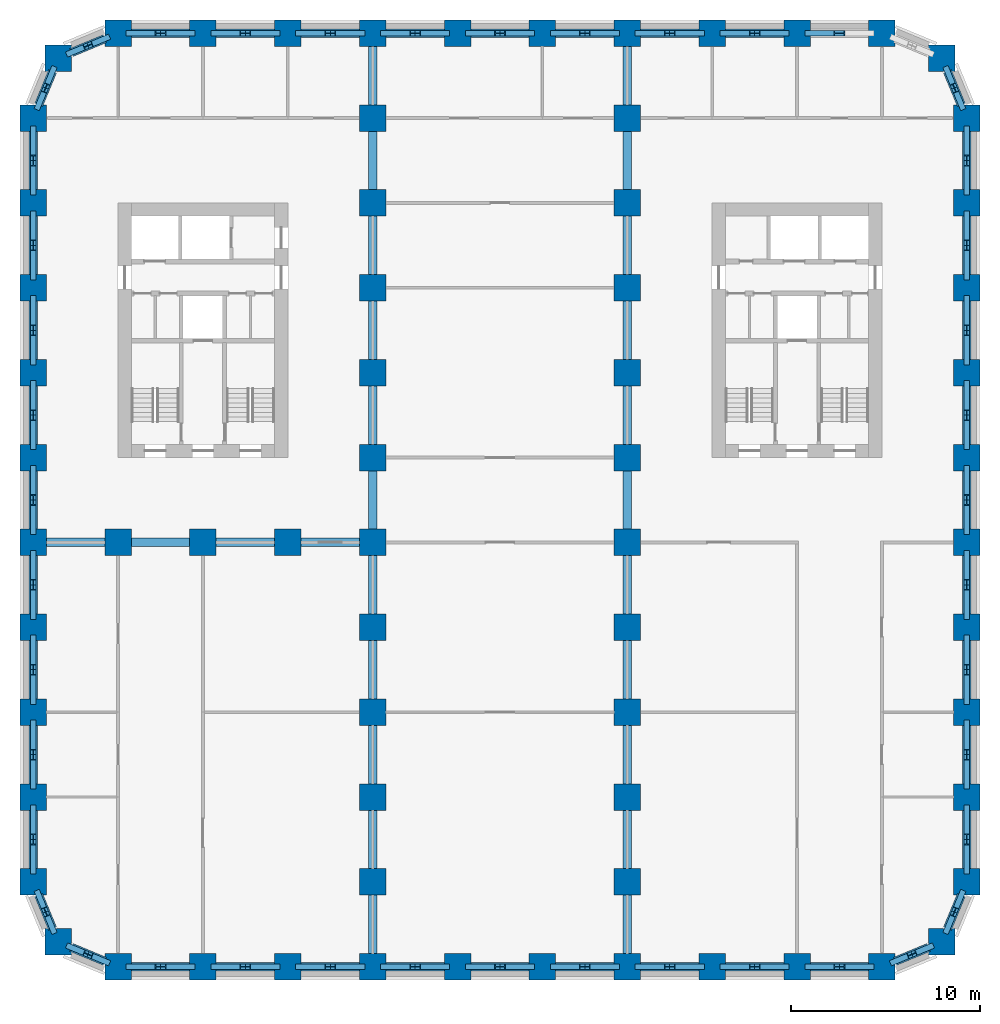
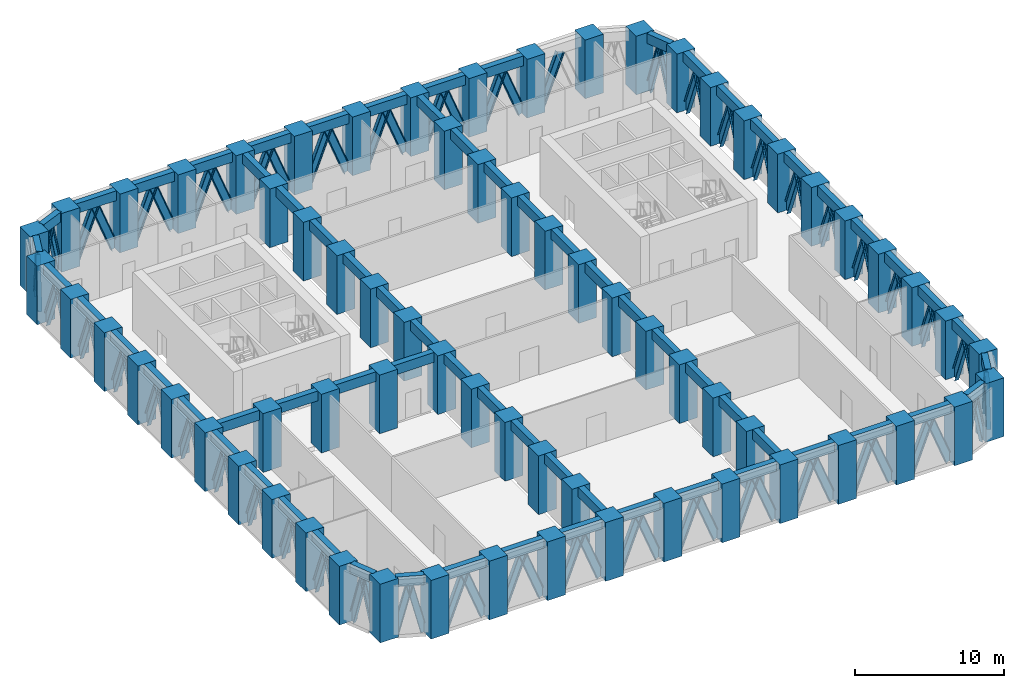
# One storey, part 1 of 9: 85 members, 68 beams, 67 columns.
"""IFC4 building model written with IfcOpenShell, lengths in metres."""

from ifc_helpers import new_model, si_unit, direction, frame, origin, origin_2d, place, context, subcontext, project, spatial, rectangle, i_section, extrude, material, material_profile, profile_set, type_object, element, save


model = new_model("IFC4")

# Units and contexts
model_context = context("Model", 3, precision=1e-05, world=origin(), true_north=direction((0.0, 1.0)))
body_context = subcontext(model_context, "Body", "Model", "MODEL_VIEW")
ifc_project = project(units=[si_unit("LENGTHUNIT", "METRE"), si_unit("AREAUNIT", "SQUARE_METRE"), si_unit("VOLUMEUNIT", "CUBIC_METRE"), si_unit("PLANEANGLEUNIT", "RADIAN"), si_unit("MASSUNIT", "GRAM", prefix="KILO")], contexts=[model_context])

# Site, building, storey
site_placement = place(None, origin())
site = spatial("IfcSite", under=ifc_project, at=site_placement, CompositionType="ELEMENT")
building_placement = place(site_placement, origin())
building = spatial("IfcBuilding", under=site, at=building_placement, Name="Girih Gate Residences", CompositionType="ELEMENT")
storey_placement = place(building_placement, frame((0.0, 0.0, 75.199951171875)))
storey = spatial("IfcBuildingStorey", under=building, at=storey_placement, Name="L20", CompositionType="ELEMENT", Elevation=75.199951171875)

# Columns
ifc_material_1 = material(Name="Concrete C80/95", Category="concrete")
ifc_material_profile_1 = material_profile(ifc_material_1, rectangle(XDim=1.39990234375, YDim=1.39990234375, at=origin_2d()))
ifc_profile_set_1 = profile_set([ifc_material_profile_1], Name="Concrete C80/95")
column_type = type_object("IfcColumnType", Name="Pier RC 1400x1400 Concrete C80/95", PredefinedType="COLUMN", material=ifc_profile_set_1)
for number, where, z_axis, x_axis, name in (
    (1, (4.5, 0.0, 0.0), (0.0, 0.0, 1.0), (1.0, 0.0, 0.0), "Pier P2A L20"),
    (2, (9.0, 0.0, 0.0), (0.0, 0.0, 1.0), (1.0, 0.0, 0.0), "Pier P3A L20"),
    (3, (13.5, 0.0, 0.0), (0.0, 0.0, 1.0), (1.0, 0.0, 0.0), "Pier P4A L20"),
    (4, (18.0, 0.0, 0.0), (0.0, 0.0, 1.0), (1.0, 0.0, 0.0), "Pier P5A L20"),
    (5, (22.5, 0.0, 0.0), (0.0, 0.0, 1.0), (1.0, 0.0, 0.0), "Pier P6A L20"),
    (6, (27.0, 0.0, 0.0), (0.0, 0.0, 1.0), (1.0, 0.0, 0.0), "Pier P7A L20"),
    (7, (31.5, 0.0, 0.0), (0.0, 0.0, 1.0), (1.0, 0.0, 0.0), "Pier P8A L20"),
    (8, (36.0, 0.0, 0.0), (0.0, 0.0, 1.0), (1.0, 0.0, 0.0), "Pier P9A L20"),
    (9, (40.5, 0.0, 0.0), (0.0, 0.0, 1.0), (1.0, 0.0, 0.0), "Pier P10A L20"),
    (10, (45.0, 0.0, 0.0), (0.0, 0.0, 1.0), (1.0, 0.0, 0.0), "Pier P11A L20"),
    (11, (1.318115234375, 1.318115234375, 0.0), (0.0, 0.0, 1.0), (1.0, 0.0, 0.0), "Pier P1ANE L20"),
    (12, (48.181884765625, 1.318115234375, 0.0), (0.0, 0.0, 1.0), (1.0, 0.0, 0.0), "Pier P12ANW L20"),
    (13, (0.0, 4.5, 0.0), (0.0, 0.0, 1.0), (1.0, 0.0, 0.0), "Pier P1B L20"),
    (14, (18.0, 4.5, 0.0), (0.0, 0.0, 1.0), (1.0, 0.0, 0.0), "Pier P5B L20"),
    (15, (31.5, 4.5, 0.0), (0.0, 0.0, 1.0), (1.0, 0.0, 0.0), "Pier P8B L20"),
    (16, (49.5, 4.5, 0.0), (0.0, 0.0, 1.0), (1.0, 0.0, 0.0), "Pier P12B L20"),
    (17, (0.0, 9.0, 0.0), (0.0, 0.0, 1.0), (1.0, 0.0, 0.0), "Pier P1C L20"),
    (18, (18.0, 9.0, 0.0), (0.0, 0.0, 1.0), (1.0, 0.0, 0.0), "Pier P5C L20"),
    (19, (31.5, 9.0, 0.0), (0.0, 0.0, 1.0), (1.0, 0.0, 0.0), "Pier P8C L20"),
    (20, (49.5, 9.0, 0.0), (0.0, 0.0, 1.0), (1.0, 0.0, 0.0), "Pier P12C L20"),
    (21, (0.0, 13.5, 0.0), (0.0, 0.0, 1.0), (1.0, 0.0, 0.0), "Pier P1D L20"),
    (22, (18.0, 13.5, 0.0), (0.0, 0.0, 1.0), (1.0, 0.0, 0.0), "Pier P5D L20"),
    (23, (31.5, 13.5, 0.0), (0.0, 0.0, 1.0), (1.0, 0.0, 0.0), "Pier P8D L20"),
    (24, (49.5, 13.5, 0.0), (0.0, 0.0, 1.0), (1.0, 0.0, 0.0), "Pier P12D L20"),
    (25, (0.0, 18.0, 0.0), (0.0, 0.0, 1.0), (1.0, 0.0, 0.0), "Pier P1E L20"),
    (26, (18.0, 18.0, 0.0), (0.0, 0.0, 1.0), (1.0, 0.0, 0.0), "Pier P5E L20"),
    (27, (31.5, 18.0, 0.0), (0.0, 0.0, 1.0), (1.0, 0.0, 0.0), "Pier P8E L20"),
    (28, (49.5, 18.0, 0.0), (0.0, 0.0, 1.0), (1.0, 0.0, 0.0), "Pier P12E L20"),
    (29, (0.0, 22.5, 0.0), (0.0, 0.0, 1.0), (1.0, 0.0, 0.0), "Pier P1F L20"),
    (30, (4.5, 22.5, 0.0), (0.0, 0.0, 1.0), (1.0, 0.0, 0.0), "Pier P2F L20"),
    (31, (9.0, 22.5, 0.0), (0.0, 0.0, 1.0), (1.0, 0.0, 0.0), "Pier P3F L20"),
    (32, (13.5, 22.5, 0.0), (0.0, 0.0, 1.0), (1.0, 0.0, 0.0), "Pier P4F L20"),
    (33, (18.0, 22.5, 0.0), (0.0, 0.0, 1.0), (1.0, 0.0, 0.0), "Pier P5F L20"),
    (34, (31.5, 22.5, 0.0), (0.0, 0.0, 1.0), (1.0, 0.0, 0.0), "Pier P8F L20"),
    (35, (49.5, 22.5, 0.0), (0.0, 0.0, 1.0), (1.0, 0.0, 0.0), "Pier P12F L20"),
    (36, (0.0, 27.0, 0.0), (0.0, 0.0, 1.0), (1.0, 0.0, 0.0), "Pier P1G L20"),
    (37, (18.0, 27.0, 0.0), (0.0, 0.0, 1.0), (1.0, 0.0, 0.0), "Pier P5G L20"),
    (38, (31.5, 27.0, 0.0), (0.0, 0.0, 1.0), (1.0, 0.0, 0.0), "Pier P8G L20"),
    (39, (49.5, 27.0, 0.0), (0.0, 0.0, 1.0), (1.0, 0.0, 0.0), "Pier P12G L20"),
    (40, (0.0, 31.5, 0.0), (0.0, 0.0, 1.0), (1.0, 0.0, 0.0), "Pier P1H L20"),
    (41, (18.0, 31.5, 0.0), (0.0, 0.0, 1.0), (1.0, 0.0, 0.0), "Pier P5H L20"),
    (42, (31.5, 31.5, 0.0), (0.0, 0.0, 1.0), (1.0, 0.0, 0.0), "Pier P8H L20"),
    (43, (49.5, 31.5, 0.0), (0.0, 0.0, 1.0), (1.0, 0.0, 0.0), "Pier P12H L20"),
    (44, (0.0, 36.0, 0.0), (0.0, 0.0, 1.0), (1.0, 0.0, 0.0), "Pier P1I L20"),
    (45, (18.0, 36.0, 0.0), (0.0, 0.0, 1.0), (1.0, 0.0, 0.0), "Pier P5I L20"),
    (46, (31.5, 36.0, 0.0), (0.0, 0.0, 1.0), (1.0, 0.0, 0.0), "Pier P8I L20"),
    (47, (49.5, 36.0, 0.0), (0.0, 0.0, 1.0), (1.0, 0.0, 0.0), "Pier P12I L20"),
    (48, (0.0, 40.5, 0.0), (0.0, 0.0, 1.0), (1.0, 0.0, 0.0), "Pier P1J L20"),
    (49, (18.0, 40.5, 0.0), (0.0, 0.0, 1.0), (1.0, 0.0, 0.0), "Pier P5J L20"),
    (50, (31.5, 40.5, 0.0), (0.0, 0.0, 1.0), (1.0, 0.0, 0.0), "Pier P8J L20"),
    (51, (49.5, 40.5, 0.0), (0.0, 0.0, 1.0), (1.0, 0.0, 0.0), "Pier P12J L20"),
    (52, (0.0, 45.0, 0.0), (0.0, 0.0, 1.0), (1.0, 0.0, 0.0), "Pier P1K L20"),
    (53, (18.0, 45.0, 0.0), (0.0, 0.0, 1.0), (1.0, 0.0, 0.0), "Pier P5K L20"),
    (54, (31.5, 45.0, 0.0), (0.0, 0.0, 1.0), (1.0, 0.0, 0.0), "Pier P8K L20"),
    (55, (49.5, 45.0, 0.0), (0.0, 0.0, 1.0), (1.0, 0.0, 0.0), "Pier P12K L20"),
    (56, (1.318115234375, 48.181884765625, 0.0), (0.0, 0.0, 1.0), (1.0, 0.0, 0.0), "Pier P1LSE L20"),
    (57, (48.181884765625, 48.181884765625, 0.0), (0.0, 0.0, 1.0), (1.0, 0.0, 0.0), "Pier P12LSW L20"),
    (58, (4.5, 49.5, 0.0), (0.0, 0.0, 1.0), (1.0, 0.0, 0.0), "Pier P2L L20"),
    (59, (9.0, 49.5, 0.0), (0.0, 0.0, 1.0), (1.0, 0.0, 0.0), "Pier P3L L20"),
    (60, (13.5, 49.5, 0.0), (0.0, 0.0, 1.0), (1.0, 0.0, 0.0), "Pier P4L L20"),
    (61, (18.0, 49.5, 0.0), (0.0, 0.0, 1.0), (1.0, 0.0, 0.0), "Pier P5L L20"),
    (62, (22.5, 49.5, 0.0), (0.0, 0.0, 1.0), (1.0, 0.0, 0.0), "Pier P6L L20"),
    (63, (27.0, 49.5, 0.0), (0.0, 0.0, 1.0), (1.0, 0.0, 0.0), "Pier P7L L20"),
    (64, (31.5, 49.5, 0.0), (0.0, 0.0, 1.0), (1.0, 0.0, 0.0), "Pier P8L L20"),
    (65, (36.0, 49.5, 0.0), (0.0, 0.0, 1.0), (1.0, 0.0, 0.0), "Pier P9L L20"),
    (66, (40.5, 49.5, 0.0), (0.0, 0.0, 1.0), (1.0, 0.0, 0.0), "Pier P10L L20"),
    (67, (45.0, 49.5, 0.0), (0.0, 0.0, 1.0), (1.0, 0.0, 0.0), "Pier P11L L20"),
):
    element("IfcColumn", number, at=place(storey_placement, frame(where, z_axis=z_axis, x_axis=x_axis)), inside=storey, type_object=column_type, Name=name, PredefinedType="COLUMN", context=body_context, shape_type="SweptSolid", body=[
        extrude(rectangle(XDim=1.39990234375, YDim=1.39990234375, at=origin_2d()), origin(), (0.0, 0.0, 1.0), 4.800048828125),
    ])

# Members
ifc_material_2 = material(Name="Steel S460", Category="steel")
ifc_material_profile_2 = material_profile(ifc_material_2, i_section(OverallWidth=0.300048828125, OverallDepth=0.5, WebThickness=0.014404296875, FlangeThickness=0.028076171875, FilletRadius=0.027099609375, at=origin_2d()))
ifc_profile_set_2 = profile_set([ifc_material_profile_2], Name="Steel S460")
member_type_1 = type_object("IfcMemberType", Name="Belt truss diagonal HE 500 B Steel S460", PredefinedType="BRACE", material=ifc_profile_set_2)
for number, where, z_axis, x_axis, name in (
    (68, (0.278564453125, 3.82763671875, 0.0), (0.092284233261, -0.2228918933, 0.970465261713), (0.923939040555, 0.382539735633, 0.0), "Belt truss BT2 L20 SW0000_0045.0-1"),
    (69, (1.03955078125, 1.990234375, 0.0), (-0.092342960832, 0.222890674542, 0.970459955272), (-0.923852243074, -0.382749308252, 0.0), "Belt truss BT2 L20 SW0000_0045.0-2"),
    (70, (1.990234375, 1.03955078125, 0.0), (0.222890674542, -0.092342960832, 0.970459955272), (0.382749308252, 0.923852243074, 0.0), "Belt truss BT2 L20 SW0013_0013.0-1"),
    (71, (3.82763671875, 0.278564453125, 0.0), (-0.2228918933, 0.092284233261, 0.970465261713), (-0.382539735633, -0.923939040555, 0.0), "Belt truss BT2 L20 SW0013_0013.0-2"),
    (72, (45.67236328125, 0.278564453125, 0.0), (0.2228918933, 0.092284233261, 0.970465261713), (-0.382539735633, 0.923939040555, 0.0), "Belt truss BT2 L20 SE0450_0000.0-1"),
    (73, (47.509765625, 1.03955078125, 0.0), (-0.222890674542, -0.092342960832, 0.970459955272), (0.382749308252, -0.923852243074, 0.0), "Belt truss BT2 L20 SE0450_0000.0-2"),
    (74, (48.46044921875, 1.990234375, 0.0), (0.092342960832, 0.222890674542, 0.970459955272), (-0.923852243074, 0.382749308252, 0.0), "Belt truss BT2 L20 SE0482_0013.0-1"),
    (75, (49.221435546875, 3.82763671875, 0.0), (-0.092284233261, -0.2228918933, 0.970465261713), (0.923939040555, -0.382539735633, 0.0), "Belt truss BT2 L20 SE0482_0013.0-2"),
    (76, (49.221435546875, 45.67236328125, 0.0), (-0.092284233261, 0.2228918933, 0.970465261713), (-0.923939040555, -0.382539735633, 0.0), "Belt truss BT2 L20 NE0495_0450.0-1"),
    (77, (48.46044921875, 47.509765625, 0.0), (0.092342960832, -0.222890674542, 0.970459955272), (0.923852243074, 0.382749308252, 0.0), "Belt truss BT2 L20 NE0495_0450.0-2"),
    (78, (3.82763671875, 49.221435546875, 0.0), (-0.2228918933, -0.092284233261, 0.970465261713), (0.382539735633, -0.923939040555, 0.0), "Belt truss BT2 L20 NW0045_0495.0-1"),
    (79, (1.990234375, 48.46044921875, 0.0), (0.222890674542, 0.092342960832, 0.970459955272), (-0.382749308252, 0.923852243074, 0.0), "Belt truss BT2 L20 NW0045_0495.0-2"),
    (80, (1.03955078125, 47.509765625, 0.0), (-0.092342960832, -0.222890674542, 0.970459955272), (0.923852243074, -0.382749308252, 0.0), "Belt truss BT2 L20 NW0013_0482.0-1"),
    (81, (0.278564453125, 45.67236328125, 0.0), (0.092284233261, 0.2228918933, 0.970465261713), (-0.923939040555, 0.382539735633, 0.0), "Belt truss BT2 L20 NW0013_0482.0-2"),
):
    element("IfcMember", number, at=place(storey_placement, frame(where, z_axis=z_axis, x_axis=x_axis)), inside=storey, type_object=member_type_1, Name=name, PredefinedType="BRACE", context=body_context, shape_type="SweptSolid", body=[
        extrude(i_section(OverallWidth=0.300048828125, OverallDepth=0.5, WebThickness=0.014404296875, FlangeThickness=0.028076171875, FilletRadius=0.027099609375, at=origin_2d()), origin(), (0.0, 0.0, 1.0), 4.121826171875),
    ])
ifc_material_profile_3 = material_profile(ifc_material_2, i_section(OverallWidth=0.300048828125, OverallDepth=0.60009765625, WebThickness=0.015380859375, FlangeThickness=0.030029296875, FilletRadius=0.027099609375, at=origin_2d()))
ifc_profile_set_3 = profile_set([ifc_material_profile_3], Name="Steel S460")
member_type_2 = type_object("IfcMemberType", Name="Belt truss diagonal HE 600 B Steel S460", PredefinedType="BRACE", material=ifc_profile_set_3)
for number, where, z_axis, x_axis, name in (
    (82, (5.199951171875, 0.0, 0.0), (0.361330964042, 0.0, 0.932437630313), (0.0, 1.0, 0.0), "Belt truss BT1 L20 S0045_0000.0-1"),
    (83, (8.300048828125, 0.0, 0.0), (-0.361330964042, 0.0, 0.932437630313), (0.0, -1.0, 0.0), "Belt truss BT1 L20 S0045_0000.0-2"),
    (84, (9.699951171875, 0.0, 0.0), (0.361330964042, 0.0, 0.932437630313), (0.0, 1.0, 0.0), "Belt truss BT1 L20 S0045_0000.1-1"),
    (85, (12.800048828125, 0.0, 0.0), (-0.361330964042, 0.0, 0.932437630313), (0.0, -1.0, 0.0), "Belt truss BT1 L20 S0045_0000.1-2"),
    (86, (14.199951171875, 0.0, 0.0), (0.361330964042, 0.0, 0.932437630313), (0.0, 1.0, 0.0), "Belt truss BT1 L20 S0045_0000.2-1"),
    (87, (17.300048828125, 0.0, 0.0), (-0.361330964042, 0.0, 0.932437630313), (0.0, -1.0, 0.0), "Belt truss BT1 L20 S0045_0000.2-2"),
    (88, (18.699951171875, 0.0, 0.0), (0.361330964042, 0.0, 0.932437630313), (0.0, 1.0, 0.0), "Belt truss BT1 L20 S0045_0000.3-1"),
    (89, (21.800048828125, 0.0, 0.0), (-0.361330964042, 0.0, 0.932437630313), (0.0, -1.0, 0.0), "Belt truss BT1 L20 S0045_0000.3-2"),
    (90, (23.199951171875, 0.0, 0.0), (0.361330964042, 0.0, 0.932437630313), (0.0, 1.0, 0.0), "Belt truss BT1 L20 S0045_0000.4-1"),
    (91, (26.300048828125, 0.0, 0.0), (-0.361330964042, 0.0, 0.932437630313), (0.0, -1.0, 0.0), "Belt truss BT1 L20 S0045_0000.4-2"),
    (92, (27.699951171875, 0.0, 0.0), (0.361330964042, 0.0, 0.932437630313), (0.0, 1.0, 0.0), "Belt truss BT1 L20 S0045_0000.5-1"),
    (93, (30.800048828125, 0.0, 0.0), (-0.361330964042, 0.0, 0.932437630313), (0.0, -1.0, 0.0), "Belt truss BT1 L20 S0045_0000.5-2"),
    (94, (32.199951171875, 0.0, 0.0), (0.361330964042, 0.0, 0.932437630313), (0.0, 1.0, 0.0), "Belt truss BT1 L20 S0045_0000.6-1"),
    (95, (35.300048828125, 0.0, 0.0), (-0.361330964042, 0.0, 0.932437630313), (0.0, -1.0, 0.0), "Belt truss BT1 L20 S0045_0000.6-2"),
    (96, (36.699951171875, 0.0, 0.0), (0.361330964042, 0.0, 0.932437630313), (0.0, 1.0, 0.0), "Belt truss BT1 L20 S0045_0000.7-1"),
    (97, (39.800048828125, 0.0, 0.0), (-0.361330964042, 0.0, 0.932437630313), (0.0, -1.0, 0.0), "Belt truss BT1 L20 S0045_0000.7-2"),
    (98, (41.199951171875, 0.0, 0.0), (0.361330964042, 0.0, 0.932437630313), (0.0, 1.0, 0.0), "Belt truss BT1 L20 S0045_0000.8-1"),
    (99, (44.300048828125, 0.0, 0.0), (-0.361330964042, 0.0, 0.932437630313), (0.0, -1.0, 0.0), "Belt truss BT1 L20 S0045_0000.8-2"),
    (100, (49.5, 5.199951171875, 0.0), (0.0, 0.361330964042, 0.932437630313), (-1.0, 0.0, 0.0), "Belt truss BT1 L20 E0495_0045.0-1"),
    (101, (49.5, 8.300048828125, 0.0), (0.0, -0.361330964042, 0.932437630313), (1.0, 0.0, 0.0), "Belt truss BT1 L20 E0495_0045.0-2"),
    (102, (49.5, 9.699951171875, 0.0), (0.0, 0.361330964042, 0.932437630313), (-1.0, 0.0, 0.0), "Belt truss BT1 L20 E0495_0045.1-1"),
    (103, (49.5, 12.800048828125, 0.0), (0.0, -0.361330964042, 0.932437630313), (1.0, 0.0, 0.0), "Belt truss BT1 L20 E0495_0045.1-2"),
    (104, (49.5, 14.199951171875, 0.0), (0.0, 0.361330964042, 0.932437630313), (-1.0, 0.0, 0.0), "Belt truss BT1 L20 E0495_0045.2-1"),
    (105, (49.5, 17.300048828125, 0.0), (0.0, -0.361330964042, 0.932437630313), (1.0, 0.0, 0.0), "Belt truss BT1 L20 E0495_0045.2-2"),
    (106, (49.5, 18.699951171875, 0.0), (0.0, 0.361330964042, 0.932437630313), (-1.0, 0.0, 0.0), "Belt truss BT1 L20 E0495_0045.3-1"),
    (107, (49.5, 21.800048828125, 0.0), (0.0, -0.361330964042, 0.932437630313), (1.0, 0.0, 0.0), "Belt truss BT1 L20 E0495_0045.3-2"),
    (108, (49.5, 23.199951171875, 0.0), (0.0, 0.361330964042, 0.932437630313), (-1.0, 0.0, 0.0), "Belt truss BT1 L20 E0495_0045.4-1"),
    (109, (49.5, 26.300048828125, 0.0), (0.0, -0.361330964042, 0.932437630313), (1.0, 0.0, 0.0), "Belt truss BT1 L20 E0495_0045.4-2"),
    (110, (49.5, 27.699951171875, 0.0), (0.0, 0.361330964042, 0.932437630313), (-1.0, 0.0, 0.0), "Belt truss BT1 L20 E0495_0045.5-1"),
    (111, (49.5, 30.800048828125, 0.0), (0.0, -0.361330964042, 0.932437630313), (1.0, 0.0, 0.0), "Belt truss BT1 L20 E0495_0045.5-2"),
    (112, (49.5, 32.199951171875, 0.0), (0.0, 0.361330964042, 0.932437630313), (-1.0, 0.0, 0.0), "Belt truss BT1 L20 E0495_0045.6-1"),
    (113, (49.5, 35.300048828125, 0.0), (0.0, -0.361330964042, 0.932437630313), (1.0, 0.0, 0.0), "Belt truss BT1 L20 E0495_0045.6-2"),
    (114, (49.5, 36.699951171875, 0.0), (0.0, 0.361330964042, 0.932437630313), (-1.0, 0.0, 0.0), "Belt truss BT1 L20 E0495_0045.7-1"),
    (115, (49.5, 39.800048828125, 0.0), (0.0, -0.361330964042, 0.932437630313), (1.0, 0.0, 0.0), "Belt truss BT1 L20 E0495_0045.7-2"),
    (116, (49.5, 41.199951171875, 0.0), (0.0, 0.361330964042, 0.932437630313), (-1.0, 0.0, 0.0), "Belt truss BT1 L20 E0495_0045.8-1"),
    (117, (49.5, 44.300048828125, 0.0), (0.0, -0.361330964042, 0.932437630313), (1.0, 0.0, 0.0), "Belt truss BT1 L20 E0495_0045.8-2"),
    (118, (41.199951171875, 49.5, 0.0), (0.361330964042, 0.0, 0.932437630313), (0.0, 1.0, 0.0), "Belt truss BT1 L20 N0450_0495.0-2"),
    (119, (39.800048828125, 49.5, 0.0), (-0.361330964042, 0.0, 0.932437630313), (0.0, -1.0, 0.0), "Belt truss BT1 L20 N0450_0495.1-1"),
    (120, (36.699951171875, 49.5, 0.0), (0.361330964042, 0.0, 0.932437630313), (0.0, 1.0, 0.0), "Belt truss BT1 L20 N0450_0495.1-2"),
    (121, (35.300048828125, 49.5, 0.0), (-0.361330964042, 0.0, 0.932437630313), (0.0, -1.0, 0.0), "Belt truss BT1 L20 N0450_0495.2-1"),
    (122, (32.199951171875, 49.5, 0.0), (0.361330964042, 0.0, 0.932437630313), (0.0, 1.0, 0.0), "Belt truss BT1 L20 N0450_0495.2-2"),
    (123, (30.800048828125, 49.5, 0.0), (-0.361330964042, 0.0, 0.932437630313), (0.0, -1.0, 0.0), "Belt truss BT1 L20 N0450_0495.3-1"),
    (124, (27.699951171875, 49.5, 0.0), (0.361330964042, 0.0, 0.932437630313), (0.0, 1.0, 0.0), "Belt truss BT1 L20 N0450_0495.3-2"),
    (125, (26.300048828125, 49.5, 0.0), (-0.361330964042, 0.0, 0.932437630313), (0.0, -1.0, 0.0), "Belt truss BT1 L20 N0450_0495.4-1"),
    (126, (23.199951171875, 49.5, 0.0), (0.361330964042, 0.0, 0.932437630313), (0.0, 1.0, 0.0), "Belt truss BT1 L20 N0450_0495.4-2"),
    (127, (21.800048828125, 49.5, 0.0), (-0.361330964042, 0.0, 0.932437630313), (0.0, -1.0, 0.0), "Belt truss BT1 L20 N0450_0495.5-1"),
    (128, (18.699951171875, 49.5, 0.0), (0.361330964042, 0.0, 0.932437630313), (0.0, 1.0, 0.0), "Belt truss BT1 L20 N0450_0495.5-2"),
    (129, (17.300048828125, 49.5, 0.0), (-0.361330964042, 0.0, 0.932437630313), (0.0, -1.0, 0.0), "Belt truss BT1 L20 N0450_0495.6-1"),
    (130, (14.199951171875, 49.5, 0.0), (0.361330964042, 0.0, 0.932437630313), (0.0, 1.0, 0.0), "Belt truss BT1 L20 N0450_0495.6-2"),
    (131, (12.800048828125, 49.5, 0.0), (-0.361330964042, 0.0, 0.932437630313), (0.0, -1.0, 0.0), "Belt truss BT1 L20 N0450_0495.7-1"),
    (132, (9.699951171875, 49.5, 0.0), (0.361330964042, 0.0, 0.932437630313), (0.0, 1.0, 0.0), "Belt truss BT1 L20 N0450_0495.7-2"),
    (133, (8.300048828125, 49.5, 0.0), (-0.361330964042, 0.0, 0.932437630313), (0.0, -1.0, 0.0), "Belt truss BT1 L20 N0450_0495.8-1"),
    (134, (5.199951171875, 49.5, 0.0), (0.361330964042, 0.0, 0.932437630313), (0.0, 1.0, 0.0), "Belt truss BT1 L20 N0450_0495.8-2"),
    (135, (0.0, 44.300048828125, 0.0), (0.0, -0.361330964042, 0.932437630313), (1.0, 0.0, 0.0), "Belt truss BT1 L20 W0000_0450.0-1"),
    (136, (0.0, 41.199951171875, 0.0), (0.0, 0.361330964042, 0.932437630313), (-1.0, 0.0, 0.0), "Belt truss BT1 L20 W0000_0450.0-2"),
    (137, (0.0, 39.800048828125, 0.0), (0.0, -0.361330964042, 0.932437630313), (1.0, 0.0, 0.0), "Belt truss BT1 L20 W0000_0450.1-1"),
    (138, (0.0, 36.699951171875, 0.0), (0.0, 0.361330964042, 0.932437630313), (-1.0, 0.0, 0.0), "Belt truss BT1 L20 W0000_0450.1-2"),
    (139, (0.0, 35.300048828125, 0.0), (0.0, -0.361330964042, 0.932437630313), (1.0, 0.0, 0.0), "Belt truss BT1 L20 W0000_0450.2-1"),
    (140, (0.0, 32.199951171875, 0.0), (0.0, 0.361330964042, 0.932437630313), (-1.0, 0.0, 0.0), "Belt truss BT1 L20 W0000_0450.2-2"),
    (141, (0.0, 30.800048828125, 0.0), (0.0, -0.361330964042, 0.932437630313), (1.0, 0.0, 0.0), "Belt truss BT1 L20 W0000_0450.3-1"),
    (142, (0.0, 27.699951171875, 0.0), (0.0, 0.361330964042, 0.932437630313), (-1.0, 0.0, 0.0), "Belt truss BT1 L20 W0000_0450.3-2"),
    (143, (0.0, 26.300048828125, 0.0), (0.0, -0.361330964042, 0.932437630313), (1.0, 0.0, 0.0), "Belt truss BT1 L20 W0000_0450.4-1"),
    (144, (0.0, 23.199951171875, 0.0), (0.0, 0.361330964042, 0.932437630313), (-1.0, 0.0, 0.0), "Belt truss BT1 L20 W0000_0450.4-2"),
    (145, (0.0, 21.800048828125, 0.0), (0.0, -0.361330964042, 0.932437630313), (1.0, 0.0, 0.0), "Belt truss BT1 L20 W0000_0450.5-1"),
    (146, (0.0, 18.699951171875, 0.0), (0.0, 0.361330964042, 0.932437630313), (-1.0, 0.0, 0.0), "Belt truss BT1 L20 W0000_0450.5-2"),
    (147, (0.0, 17.300048828125, 0.0), (0.0, -0.361330964042, 0.932437630313), (1.0, 0.0, 0.0), "Belt truss BT1 L20 W0000_0450.6-1"),
    (148, (0.0, 14.199951171875, 0.0), (0.0, 0.361330964042, 0.932437630313), (-1.0, 0.0, 0.0), "Belt truss BT1 L20 W0000_0450.6-2"),
    (149, (0.0, 12.800048828125, 0.0), (0.0, -0.361330964042, 0.932437630313), (1.0, 0.0, 0.0), "Belt truss BT1 L20 W0000_0450.7-1"),
    (150, (0.0, 9.699951171875, 0.0), (0.0, 0.361330964042, 0.932437630313), (-1.0, 0.0, 0.0), "Belt truss BT1 L20 W0000_0450.7-2"),
    (151, (0.0, 8.300048828125, 0.0), (0.0, -0.361330964042, 0.932437630313), (1.0, 0.0, 0.0), "Belt truss BT1 L20 W0000_0450.8-1"),
    (152, (0.0, 5.199951171875, 0.0), (0.0, 0.361330964042, 0.932437630313), (-1.0, 0.0, 0.0), "Belt truss BT1 L20 W0000_0450.8-2"),
):
    element("IfcMember", number, at=place(storey_placement, frame(where, z_axis=z_axis, x_axis=x_axis)), inside=storey, type_object=member_type_2, Name=name, PredefinedType="BRACE", context=body_context, shape_type="SweptSolid", body=[
        extrude(i_section(OverallWidth=0.300048828125, OverallDepth=0.60009765625, WebThickness=0.015380859375, FlangeThickness=0.030029296875, FilletRadius=0.027099609375, at=origin_2d()), origin(), (0.0, 0.0, 1.0), 4.289794921875),
    ])

# Beams
ifc_material_3 = material(Name="Concrete C60/75", Category="concrete")
ifc_material_profile_4 = material_profile(ifc_material_3, rectangle(XDim=0.449951171875, YDim=0.800048828125, at=origin_2d()))
ifc_profile_set_4 = profile_set([ifc_material_profile_4], Name="Concrete C60/75")
beam_type = type_object("IfcBeamType", Name="Spandrel girder RC 450x800 Concrete C60/75", PredefinedType="BEAM", material=ifc_profile_set_4)
for number, where, z_axis, x_axis, name in (
    (153, (0.2900390625, 3.800048828125, 4.400146484375), (0.382646180293, -0.923894961945, 0.0), (0.923894961945, 0.382646180293, 0.0), "Spandrel girder SP-P1B-P1ANE L20"),
    (154, (2.01806640625, 1.028076171875, 4.400146484375), (0.923894961945, -0.382646180293, 0.0), (0.382646180293, 0.923894961945, 0.0), "Spandrel girder SP-P1ANE-P2A L20"),
):
    element("IfcBeam", number, at=place(storey_placement, frame(where, z_axis=z_axis, x_axis=x_axis)), inside=storey, type_object=beam_type, Name=name, PredefinedType="BEAM", context=body_context, shape_type="SweptSolid", body=[
        extrude(rectangle(XDim=0.449951171875, YDim=0.800048828125, at=origin_2d()), origin(), (0.0, 0.0, 1.0), 1.9287109375),
    ])
for number, where, z_axis, x_axis, name in (
    (155, (5.199951171875, 0.0, 4.400146484375), (1.0, 0.0, 0.0), (0.0, 1.0, 0.0), "Spandrel girder SP-P2A-P3A L20"),
    (156, (9.699951171875, 0.0, 4.400146484375), (1.0, 0.0, 0.0), (0.0, 1.0, 0.0), "Spandrel girder SP-P3A-P4A L20"),
    (157, (14.199951171875, 0.0, 4.400146484375), (1.0, 0.0, 0.0), (0.0, 1.0, 0.0), "Spandrel girder SP-P4A-P5A L20"),
    (158, (18.699951171875, 0.0, 4.400146484375), (1.0, 0.0, 0.0), (0.0, 1.0, 0.0), "Spandrel girder SP-P5A-P6A L20"),
    (159, (23.199951171875, 0.0, 4.400146484375), (1.0, 0.0, 0.0), (0.0, 1.0, 0.0), "Spandrel girder SP-P6A-P7A L20"),
    (160, (27.699951171875, 0.0, 4.400146484375), (1.0, 0.0, 0.0), (0.0, 1.0, 0.0), "Spandrel girder SP-P7A-P8A L20"),
    (161, (32.199951171875, 0.0, 4.400146484375), (1.0, 0.0, 0.0), (0.0, 1.0, 0.0), "Spandrel girder SP-P8A-P9A L20"),
    (162, (36.699951171875, 0.0, 4.400146484375), (1.0, 0.0, 0.0), (0.0, 1.0, 0.0), "Spandrel girder SP-P9A-P10A L20"),
    (163, (41.199951171875, 0.0, 4.400146484375), (1.0, 0.0, 0.0), (0.0, 1.0, 0.0), "Spandrel girder SP-P10A-P11A L20"),
):
    element("IfcBeam", number, at=place(storey_placement, frame(where, z_axis=z_axis, x_axis=x_axis)), inside=storey, type_object=beam_type, Name=name, PredefinedType="BEAM", context=body_context, shape_type="SweptSolid", body=[
        extrude(rectangle(XDim=0.449951171875, YDim=0.800048828125, at=origin_2d()), origin(), (0.0, 0.0, 1.0), 3.10009765625),
    ])
for number, where, z_axis, x_axis, name in (
    (164, (45.699951171875, 0.2900390625, 4.400146484375), (0.923894961945, 0.382646180293, 0.0), (-0.382646180293, 0.923894961945, 0.0), "Spandrel girder SP-P11A-P12ANW L20"),
    (165, (48.471923828125, 2.01806640625, 4.400146484375), (0.382646180293, 0.923894961945, 0.0), (-0.923894961945, 0.382646180293, 0.0), "Spandrel girder SP-P12ANW-P12B L20"),
):
    element("IfcBeam", number, at=place(storey_placement, frame(where, z_axis=z_axis, x_axis=x_axis)), inside=storey, type_object=beam_type, Name=name, PredefinedType="BEAM", context=body_context, shape_type="SweptSolid", body=[
        extrude(rectangle(XDim=0.449951171875, YDim=0.800048828125, at=origin_2d()), origin(), (0.0, 0.0, 1.0), 1.9287109375),
    ])
for number, where, z_axis, x_axis, name in (
    (166, (49.5, 5.199951171875, 4.400146484375), (0.0, 1.0, 0.0), (-1.0, 0.0, 0.0), "Spandrel girder SP-P12B-P12C L20"),
    (167, (49.5, 9.699951171875, 4.400146484375), (0.0, 1.0, 0.0), (-1.0, 0.0, 0.0), "Spandrel girder SP-P12C-P12D L20"),
    (168, (49.5, 14.199951171875, 4.400146484375), (0.0, 1.0, 0.0), (-1.0, 0.0, 0.0), "Spandrel girder SP-P12D-P12E L20"),
    (169, (49.5, 18.699951171875, 4.400146484375), (0.0, 1.0, 0.0), (-1.0, 0.0, 0.0), "Spandrel girder SP-P12E-P12F L20"),
    (170, (49.5, 23.199951171875, 4.400146484375), (0.0, 1.0, 0.0), (-1.0, 0.0, 0.0), "Spandrel girder SP-P12F-P12G L20"),
    (171, (49.5, 27.699951171875, 4.400146484375), (0.0, 1.0, 0.0), (-1.0, 0.0, 0.0), "Spandrel girder SP-P12G-P12H L20"),
    (172, (49.5, 32.199951171875, 4.400146484375), (0.0, 1.0, 0.0), (-1.0, 0.0, 0.0), "Spandrel girder SP-P12H-P12I L20"),
    (173, (49.5, 36.699951171875, 4.400146484375), (0.0, 1.0, 0.0), (-1.0, 0.0, 0.0), "Spandrel girder SP-P12I-P12J L20"),
    (174, (49.5, 41.199951171875, 4.400146484375), (0.0, 1.0, 0.0), (-1.0, 0.0, 0.0), "Spandrel girder SP-P12J-P12K L20"),
):
    element("IfcBeam", number, at=place(storey_placement, frame(where, z_axis=z_axis, x_axis=x_axis)), inside=storey, type_object=beam_type, Name=name, PredefinedType="BEAM", context=body_context, shape_type="SweptSolid", body=[
        extrude(rectangle(XDim=0.449951171875, YDim=0.800048828125, at=origin_2d()), origin(), (0.0, 0.0, 1.0), 3.10009765625),
    ])
beam_placement = place(storey_placement, frame((49.2099609375, 45.699951171875, 4.400146484375), z_axis=(-0.382646180293, 0.923894961945, 0.0), x_axis=(-0.923894961945, -0.382646180293, 0.0)))
element("IfcBeam", 175, at=beam_placement, inside=storey, type_object=beam_type, Name="Spandrel girder SP-P12K-P12LSW L20", PredefinedType="BEAM", context=body_context, shape_type="SweptSolid", body=[
    extrude(rectangle(XDim=0.449951171875, YDim=0.800048828125, at=origin_2d()), origin(), (0.0, 0.0, 1.0), 1.9287109375),
])
for number, where, z_axis, x_axis, name in (
    (176, (39.800048828125, 49.5, 4.400146484375), (-1.0, 0.0, 0.0), (0.0, -1.0, 0.0), "Spandrel girder SP-P10L-P9L L20"),
    (177, (35.300048828125, 49.5, 4.400146484375), (-1.0, 0.0, 0.0), (0.0, -1.0, 0.0), "Spandrel girder SP-P9L-P8L L20"),
    (178, (30.800048828125, 49.5, 4.400146484375), (-1.0, 0.0, 0.0), (0.0, -1.0, 0.0), "Spandrel girder SP-P8L-P7L L20"),
    (179, (26.300048828125, 49.5, 4.400146484375), (-1.0, 0.0, 0.0), (0.0, -1.0, 0.0), "Spandrel girder SP-P7L-P6L L20"),
    (180, (21.800048828125, 49.5, 4.400146484375), (-1.0, 0.0, 0.0), (0.0, -1.0, 0.0), "Spandrel girder SP-P6L-P5L L20"),
    (181, (17.300048828125, 49.5, 4.400146484375), (-1.0, 0.0, 0.0), (0.0, -1.0, 0.0), "Spandrel girder SP-P5L-P4L L20"),
    (182, (12.800048828125, 49.5, 4.400146484375), (-1.0, 0.0, 0.0), (0.0, -1.0, 0.0), "Spandrel girder SP-P4L-P3L L20"),
    (183, (8.300048828125, 49.5, 4.400146484375), (-1.0, 0.0, 0.0), (0.0, -1.0, 0.0), "Spandrel girder SP-P3L-P2L L20"),
):
    element("IfcBeam", number, at=place(storey_placement, frame(where, z_axis=z_axis, x_axis=x_axis)), inside=storey, type_object=beam_type, Name=name, PredefinedType="BEAM", context=body_context, shape_type="SweptSolid", body=[
        extrude(rectangle(XDim=0.449951171875, YDim=0.800048828125, at=origin_2d()), origin(), (0.0, 0.0, 1.0), 3.10009765625),
    ])
for number, where, z_axis, x_axis, name in (
    (184, (3.800048828125, 49.2099609375, 4.400146484375), (-0.923894961945, -0.382646180293, 0.0), (0.382646180293, -0.923894961945, 0.0), "Spandrel girder SP-P2L-P1LSE L20"),
    (185, (1.028076171875, 47.48193359375, 4.400146484375), (-0.382646180293, -0.923894961945, 0.0), (0.923894961945, -0.382646180293, 0.0), "Spandrel girder SP-P1LSE-P1K L20"),
):
    element("IfcBeam", number, at=place(storey_placement, frame(where, z_axis=z_axis, x_axis=x_axis)), inside=storey, type_object=beam_type, Name=name, PredefinedType="BEAM", context=body_context, shape_type="SweptSolid", body=[
        extrude(rectangle(XDim=0.449951171875, YDim=0.800048828125, at=origin_2d()), origin(), (0.0, 0.0, 1.0), 1.9287109375),
    ])
for number, where, z_axis, x_axis, name in (
    (186, (0.0, 44.300048828125, 4.400146484375), (0.0, -1.0, 0.0), (1.0, 0.0, 0.0), "Spandrel girder SP-P1K-P1J L20"),
    (187, (0.0, 39.800048828125, 4.400146484375), (0.0, -1.0, 0.0), (1.0, 0.0, 0.0), "Spandrel girder SP-P1J-P1I L20"),
    (188, (0.0, 35.300048828125, 4.400146484375), (0.0, -1.0, 0.0), (1.0, 0.0, 0.0), "Spandrel girder SP-P1I-P1H L20"),
    (189, (0.0, 30.800048828125, 4.400146484375), (0.0, -1.0, 0.0), (1.0, 0.0, 0.0), "Spandrel girder SP-P1H-P1G L20"),
    (190, (0.0, 26.300048828125, 4.400146484375), (0.0, -1.0, 0.0), (1.0, 0.0, 0.0), "Spandrel girder SP-P1G-P1F L20"),
    (191, (0.0, 21.800048828125, 4.400146484375), (0.0, -1.0, 0.0), (1.0, 0.0, 0.0), "Spandrel girder SP-P1F-P1E L20"),
    (192, (0.0, 17.300048828125, 4.400146484375), (0.0, -1.0, 0.0), (1.0, 0.0, 0.0), "Spandrel girder SP-P1E-P1D L20"),
    (193, (0.0, 12.800048828125, 4.400146484375), (0.0, -1.0, 0.0), (1.0, 0.0, 0.0), "Spandrel girder SP-P1D-P1C L20"),
    (194, (0.0, 8.300048828125, 4.400146484375), (0.0, -1.0, 0.0), (1.0, 0.0, 0.0), "Spandrel girder SP-P1C-P1B L20"),
    (195, (18.0, 0.699951171875, 4.400146484375), (0.0, 1.0, 0.0), (-1.0, 0.0, 0.0), "Spandrel girder SP-P5A-P5B L20"),
    (196, (18.0, 5.199951171875, 4.400146484375), (0.0, 1.0, 0.0), (-1.0, 0.0, 0.0), "Spandrel girder SP-P5B-P5C L20"),
    (197, (18.0, 9.699951171875, 4.400146484375), (0.0, 1.0, 0.0), (-1.0, 0.0, 0.0), "Spandrel girder SP-P5C-P5D L20"),
    (198, (18.0, 14.199951171875, 4.400146484375), (0.0, 1.0, 0.0), (-1.0, 0.0, 0.0), "Spandrel girder SP-P5D-P5E L20"),
    (199, (18.0, 18.699951171875, 4.400146484375), (0.0, 1.0, 0.0), (-1.0, 0.0, 0.0), "Spandrel girder SP-P5E-P5F L20"),
    (200, (18.0, 23.199951171875, 4.400146484375), (0.0, 1.0, 0.0), (-1.0, 0.0, 0.0), "Spandrel girder SP-P5F-P5G L20"),
    (201, (18.0, 27.699951171875, 4.400146484375), (0.0, 1.0, 0.0), (-1.0, 0.0, 0.0), "Spandrel girder SP-P5G-P5H L20"),
    (202, (18.0, 32.199951171875, 4.400146484375), (0.0, 1.0, 0.0), (-1.0, 0.0, 0.0), "Spandrel girder SP-P5H-P5I L20"),
    (203, (18.0, 36.699951171875, 4.400146484375), (0.0, 1.0, 0.0), (-1.0, 0.0, 0.0), "Spandrel girder SP-P5I-P5J L20"),
    (204, (18.0, 41.199951171875, 4.400146484375), (0.0, 1.0, 0.0), (-1.0, 0.0, 0.0), "Spandrel girder SP-P5J-P5K L20"),
    (205, (18.0, 45.699951171875, 4.400146484375), (0.0, 1.0, 0.0), (-1.0, 0.0, 0.0), "Spandrel girder SP-P5K-P5L L20"),
    (206, (31.5, 0.699951171875, 4.400146484375), (0.0, 1.0, 0.0), (-1.0, 0.0, 0.0), "Spandrel girder SP-P8A-P8B L20"),
    (207, (31.5, 5.199951171875, 4.400146484375), (0.0, 1.0, 0.0), (-1.0, 0.0, 0.0), "Spandrel girder SP-P8B-P8C L20"),
    (208, (31.5, 9.699951171875, 4.400146484375), (0.0, 1.0, 0.0), (-1.0, 0.0, 0.0), "Spandrel girder SP-P8C-P8D L20"),
    (209, (31.5, 14.199951171875, 4.400146484375), (0.0, 1.0, 0.0), (-1.0, 0.0, 0.0), "Spandrel girder SP-P8D-P8E L20"),
    (210, (31.5, 18.699951171875, 4.400146484375), (0.0, 1.0, 0.0), (-1.0, 0.0, 0.0), "Spandrel girder SP-P8E-P8F L20"),
    (211, (31.5, 23.199951171875, 4.400146484375), (0.0, 1.0, 0.0), (-1.0, 0.0, 0.0), "Spandrel girder SP-P8F-P8G L20"),
    (212, (31.5, 27.699951171875, 4.400146484375), (0.0, 1.0, 0.0), (-1.0, 0.0, 0.0), "Spandrel girder SP-P8G-P8H L20"),
    (213, (31.5, 32.199951171875, 4.400146484375), (0.0, 1.0, 0.0), (-1.0, 0.0, 0.0), "Spandrel girder SP-P8H-P8I L20"),
    (214, (31.5, 36.699951171875, 4.400146484375), (0.0, 1.0, 0.0), (-1.0, 0.0, 0.0), "Spandrel girder SP-P8I-P8J L20"),
    (215, (31.5, 41.199951171875, 4.400146484375), (0.0, 1.0, 0.0), (-1.0, 0.0, 0.0), "Spandrel girder SP-P8J-P8K L20"),
    (216, (31.5, 45.699951171875, 4.400146484375), (0.0, 1.0, 0.0), (-1.0, 0.0, 0.0), "Spandrel girder SP-P8K-P8L L20"),
    (217, (0.699951171875, 22.5, 4.400146484375), (1.0, 0.0, 0.0), (0.0, 1.0, 0.0), "Spandrel girder SP-P1F-P2F L20"),
    (218, (5.199951171875, 22.5, 4.400146484375), (1.0, 0.0, 0.0), (0.0, 1.0, 0.0), "Spandrel girder SP-P2F-P3F L20"),
    (219, (9.699951171875, 22.5, 4.400146484375), (1.0, 0.0, 0.0), (0.0, 1.0, 0.0), "Spandrel girder SP-P3F-P4F L20"),
    (220, (14.199951171875, 22.5, 4.400146484375), (1.0, 0.0, 0.0), (0.0, 1.0, 0.0), "Spandrel girder SP-P4F-P5F L20"),
):
    element("IfcBeam", number, at=place(storey_placement, frame(where, z_axis=z_axis, x_axis=x_axis)), inside=storey, type_object=beam_type, Name=name, PredefinedType="BEAM", context=body_context, shape_type="SweptSolid", body=[
        extrude(rectangle(XDim=0.449951171875, YDim=0.800048828125, at=origin_2d()), origin(), (0.0, 0.0, 1.0), 3.10009765625),
    ])

save(model, "model.ifc")
